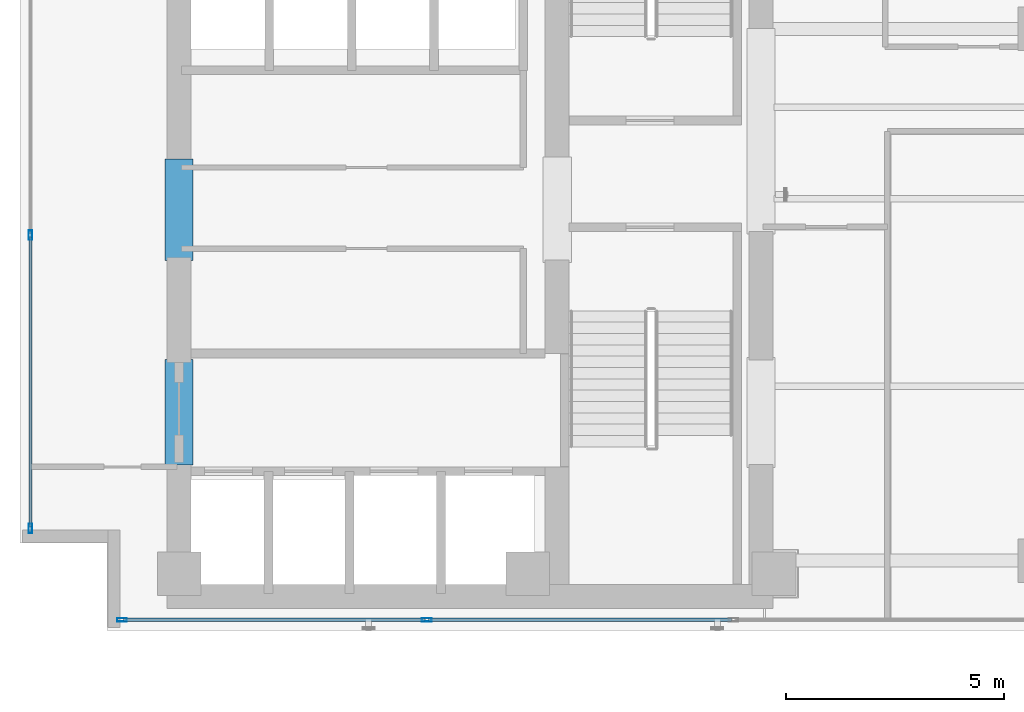
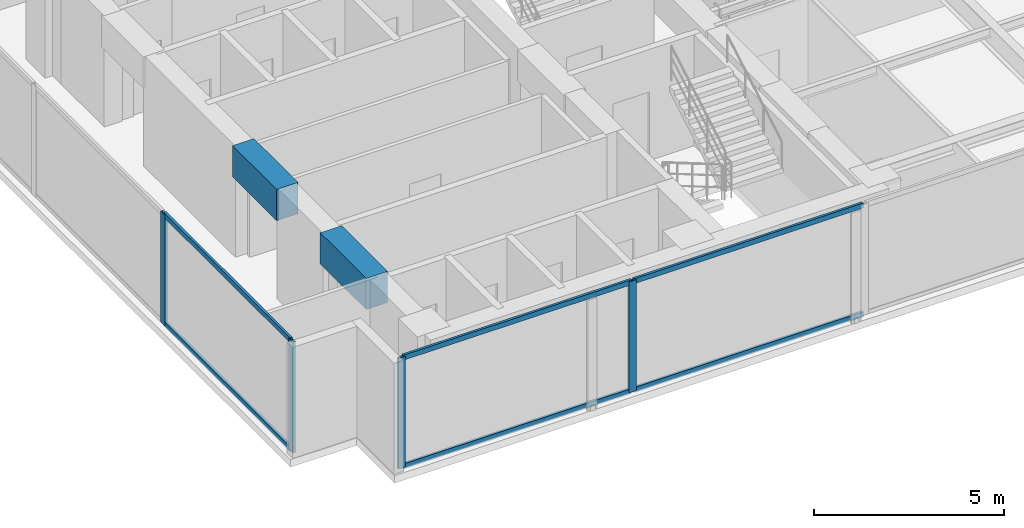
# One storey, part 2 of 23: 10 members, 2 beams, 2 elements without a shape of their own.
"""IFC4 building model written with IfcOpenShell, lengths in metres."""

from ifc_helpers import new_model, si_unit, direction, frame, origin, origin_with_axes, origin_2d, place, context, subcontext, project, spatial, rectangle, hollow_rectangle, extrude, source, transform, mapped, material, layer, layer_set, material_profile, profile_set, type_object, element, aggregate, save


model = new_model("IFC4")

# Units and contexts
model_context = context("Model", 3, precision=1e-05, world=origin(), true_north=direction((0.0, 1.0)))
body_context = subcontext(model_context, "Body", "Model", "MODEL_VIEW")
ifc_project = project(units=[si_unit("LENGTHUNIT", "METRE"), si_unit("AREAUNIT", "SQUARE_METRE"), si_unit("VOLUMEUNIT", "CUBIC_METRE"), si_unit("PLANEANGLEUNIT", "RADIAN"), si_unit("MASSUNIT", "GRAM", prefix="KILO")], contexts=[model_context])

# Site, building, storey
site_placement = place(None, origin())
site = spatial("IfcSite", under=ifc_project, at=site_placement, CompositionType="ELEMENT")
building_placement = place(site_placement, origin())
building = spatial("IfcBuilding", under=site, at=building_placement, Name="Kolvaren Waterfront Exchange", CompositionType="ELEMENT")
storey_placement = place(building_placement, frame((0.0, 0.0, 250.10009765625)))
storey = spatial("IfcBuildingStorey", under=building, at=storey_placement, Name="L64", CompositionType="ELEMENT", Elevation=250.10009765625)

# Beams
ifc_material_1 = material(Name="Concrete C60/75", Category="concrete")
ifc_material_profile_1 = material_profile(ifc_material_1, rectangle(XDim=0.64990234375, YDim=1.0, at=origin_2d()), Name="RC-CB-1000x650")
ifc_profile_set_1 = profile_set([ifc_material_profile_1], Name="Concrete C60/75")
beam_type = type_object("IfcBeamType", Name="STR-CB-1000", PredefinedType="SPANDREL", material=ifc_profile_set_1)
beam_1_placement = place(storey_placement, frame((7.449951171875, 7.389892578125, 3.059814453125), z_axis=(0.0, 1.0, 0.0), x_axis=(-1.0, 0.0, 0.0)))
element("IfcBeam", 1, at=beam_1_placement, inside=storey, type_object=beam_type, Name="L64 core coupling beam 3", PredefinedType="SPANDREL", context=body_context, shape_type="SweptSolid", body=[
    extrude(rectangle(XDim=0.64990234375, YDim=1.0, at=origin_2d()), origin(), (0.0, 0.0, 1.0), 2.420166015625),
])
beam_2_placement = place(storey_placement, frame((7.449951171875, 12.090087890625, 3.059814453125), z_axis=(0.0, 1.0, 0.0), x_axis=(-1.0, 0.0, 0.0)))
element("IfcBeam", 2, at=beam_2_placement, inside=storey, type_object=beam_type, Name="L64 core coupling beam 4", PredefinedType="SPANDREL", context=body_context, shape_type="SweptSolid", body=[
    extrude(rectangle(XDim=0.64990234375, YDim=1.0, at=origin_2d()), origin(), (0.0, 0.0, 1.0), 2.31982421875),
])

# Curtain wall, members
ifc_material_2 = material(Name="Anodised aluminium 6063-T6", Category="aluminium")
ifc_layer_1 = layer(ifc_material_2, 0.219970703125, Name="Anodised aluminium 6063-T6")
ifc_layer_set_1 = layer_set([ifc_layer_1], Name="Anodised aluminium 6063-T6")
curtain_wall_type_1 = type_object("IfcCurtainWallType", Name="ARC-CW-SYS2", PredefinedType="USERDEFINED", material=ifc_layer_set_1)
curtain_wall_1_placement = place(storey_placement, origin())
curtain_wall_1 = element("IfcCurtainWall", 3, at=curtain_wall_1_placement, inside=storey, type_object=curtain_wall_type_1, Name="L64 stick curtain wall CW2 (CW-L64-W)", ObjectType="STICK CURTAIN WALL", PredefinedType="USERDEFINED")
ifc_material_profile_2 = material_profile(ifc_material_2, hollow_rectangle(XDim=0.074951171875, YDim=0.159912109375, WallThickness=0.00439453125, at=origin_2d()), Name="ALU-TRN-160x75x4.5")
ifc_profile_set_2 = profile_set([ifc_material_profile_2], Name="Anodised aluminium 6063-T6")
member_type_1 = type_object("IfcMemberType", Name="ARC-CWT-160", PredefinedType="USERDEFINED", material=ifc_profile_set_2)
shared_shape_1 = source(origin_with_axes(), body_context, "Body", "SweptSolid", [
    extrude(hollow_rectangle(XDim=0.074951171875, YDim=0.159912109375, WallThickness=0.00439453125, at=origin_2d()), origin(), (0.0, 0.0, 1.0), 6.646728515625),
])
member_1_placement = place(storey_placement, frame((4.0400390625, 5.97998046875, 0.037353515625), z_axis=(0.0, 1.0, 0.0), x_axis=(-1.0, 0.0, 0.0)))
member_1 = element("IfcMember", 4, at=member_1_placement, type_object=member_type_1, Name="CW2 transom 1.1", ObjectType="TRANSOM", PredefinedType="USERDEFINED", context=body_context, shape_type="MappedRepresentation", body=[
    mapped(shared_shape_1, transform((0.0, 0.0, 0.0), x_axis=(1.0, 0.0, 0.0), y_axis=(0.0, 1.0, 0.0), z_axis=(0.0, 0.0, 1.0), scale=1.0)),
])
member_2_placement = place(storey_placement, frame((4.0400390625, 5.97998046875, 3.5224609375), z_axis=(0.0, 1.0, 0.0), x_axis=(-1.0, 0.0, 0.0)))
member_2 = element("IfcMember", 5, at=member_2_placement, type_object=member_type_1, Name="CW2 transom 1.2", ObjectType="TRANSOM", PredefinedType="USERDEFINED", context=body_context, shape_type="MappedRepresentation", body=[
    mapped(shared_shape_1, transform((0.0, 0.0, 0.0), x_axis=(1.0, 0.0, 0.0), y_axis=(0.0, 1.0, 0.0), z_axis=(0.0, 0.0, 1.0), scale=1.0)),
])

ifc_material_3 = material(Name="Anodised bronze aluminium 6063-T6", Category="aluminium")
ifc_layer_2 = layer(ifc_material_3, 0.219970703125, Name="Anodised bronze aluminium 6063-T6")
ifc_layer_set_2 = layer_set([ifc_layer_2], Name="Anodised bronze aluminium 6063-T6")
curtain_wall_type_2 = type_object("IfcCurtainWallType", Name="ARC-CW-SYS1", PredefinedType="USERDEFINED", material=ifc_layer_set_2)
curtain_wall_2_placement = place(storey_placement, origin())
curtain_wall_2 = element("IfcCurtainWall", 6, at=curtain_wall_2_placement, inside=storey, type_object=curtain_wall_type_2, Name="L64 stick curtain wall CW1 (CW-L64-S)", ObjectType="STICK CURTAIN WALL", PredefinedType="USERDEFINED")
ifc_material_profile_3 = material_profile(ifc_material_2, hollow_rectangle(XDim=0.080078125, YDim=0.219970703125, WallThickness=0.0048828125, at=origin_2d()), Name="ALU-MUL-220x80x5")
ifc_profile_set_3 = profile_set([ifc_material_profile_3], Name="Anodised aluminium 6063-T6")
member_type_2 = type_object("IfcMemberType", Name="ARC-CWM-220", PredefinedType="MULLION", material=ifc_profile_set_3)
shared_shape_2 = source(origin_with_axes(), body_context, "Body", "SweptSolid", [
    extrude(hollow_rectangle(XDim=0.080078125, YDim=0.219970703125, WallThickness=0.0048828125, at=origin_2d()), origin(), (0.0, 0.0, 1.0), 3.559814453125),
])
member_3_placement = place(storey_placement, frame((6.139892578125, 3.840087890625, 0.0), z_axis=(0.0, 0.0, 1.0), x_axis=(0.0, 1.0, 0.0)))
member_3 = element("IfcMember", 7, at=member_3_placement, type_object=member_type_2, Name="CW1 mullion 1", PredefinedType="MULLION", context=body_context, shape_type="MappedRepresentation", body=[
    mapped(shared_shape_2, transform((0.0, 0.0, 0.0), x_axis=(1.0, 0.0, 0.0), y_axis=(0.0, 1.0, 0.0), z_axis=(0.0, 0.0, 1.0), scale=1.0)),
])
member_4_placement = place(storey_placement, frame((13.13330078125, 3.840087890625, 0.0), z_axis=(0.0, 0.0, 1.0), x_axis=(0.0, 1.0, 0.0)))
member_4 = element("IfcMember", 8, at=member_4_placement, type_object=member_type_2, Name="CW1 mullion 2", PredefinedType="MULLION", context=body_context, shape_type="MappedRepresentation", body=[
    mapped(shared_shape_2, transform((0.0, 0.0, 0.0), x_axis=(1.0, 0.0, 0.0), y_axis=(0.0, 1.0, 0.0), z_axis=(0.0, 0.0, 1.0), scale=1.0)),
])

# Member
member_5_placement = place(storey_placement, frame((4.0400390625, 5.93994140625, 0.0), z_axis=(0.0, 0.0, 1.0), x_axis=(-1.0, 0.0, 0.0)))
member_5 = element("IfcMember", 9, at=member_5_placement, type_object=member_type_2, Name="CW2 mullion 1", PredefinedType="MULLION", context=body_context, shape_type="MappedRepresentation", body=[
    mapped(shared_shape_2, transform((0.0, 0.0, 0.0), x_axis=(1.0, 0.0, 0.0), y_axis=(0.0, 1.0, 0.0), z_axis=(0.0, 0.0, 1.0), scale=1.0)),
])

member_6_placement = place(storey_placement, frame((4.0400390625, 12.666748046875, 0.0), z_axis=(0.0, 0.0, 1.0), x_axis=(-1.0, 0.0, 0.0)))
member_6 = element("IfcMember", 10, at=member_6_placement, type_object=member_type_2, Name="CW2 mullion 2", PredefinedType="MULLION", context=body_context, shape_type="MappedRepresentation", body=[
    mapped(shared_shape_2, transform((0.0, 0.0, 0.0), x_axis=(1.0, 0.0, 0.0), y_axis=(0.0, 1.0, 0.0), z_axis=(0.0, 0.0, 1.0), scale=1.0)),
])

aggregate(curtain_wall_1, [member_5, member_6, member_1, member_2])

shared_shape_3 = source(origin_with_axes(), body_context, "Body", "SweptSolid", [
    extrude(hollow_rectangle(XDim=0.074951171875, YDim=0.159912109375, WallThickness=0.00439453125, at=origin_2d()), origin(), (0.0, 0.0, 1.0), 6.913330078125),
])
member_7_placement = place(storey_placement, frame((6.179931640625, 3.840087890625, 0.037353515625), z_axis=(1.0, 0.0, 0.0), x_axis=(0.0, 1.0, 0.0)))
member_7 = element("IfcMember", 11, at=member_7_placement, type_object=member_type_1, Name="CW1 transom 1.1", ObjectType="TRANSOM", PredefinedType="USERDEFINED", context=body_context, shape_type="MappedRepresentation", body=[
    mapped(shared_shape_3, transform((0.0, 0.0, 0.0), x_axis=(1.0, 0.0, 0.0), y_axis=(0.0, 1.0, 0.0), z_axis=(0.0, 0.0, 1.0), scale=1.0)),
])

member_8_placement = place(storey_placement, frame((6.179931640625, 3.840087890625, 3.5224609375), z_axis=(1.0, 0.0, 0.0), x_axis=(0.0, 1.0, 0.0)))
member_8 = element("IfcMember", 12, at=member_8_placement, type_object=member_type_1, Name="CW1 transom 1.2", ObjectType="TRANSOM", PredefinedType="USERDEFINED", context=body_context, shape_type="MappedRepresentation", body=[
    mapped(shared_shape_3, transform((0.0, 0.0, 0.0), x_axis=(1.0, 0.0, 0.0), y_axis=(0.0, 1.0, 0.0), z_axis=(0.0, 0.0, 1.0), scale=1.0)),
])

shared_shape_4 = source(origin_with_axes(), body_context, "Body", "SweptSolid", [
    extrude(hollow_rectangle(XDim=0.074951171875, YDim=0.159912109375, WallThickness=0.00439453125, at=origin_2d()), origin(), (0.0, 0.0, 1.0), 6.953369140625),
])
member_9_placement = place(storey_placement, frame((13.17333984375, 3.840087890625, 0.037353515625), z_axis=(1.0, 0.0, 0.0), x_axis=(0.0, 1.0, 0.0)))
member_9 = element("IfcMember", 13, at=member_9_placement, type_object=member_type_1, Name="CW1 transom 2.1", ObjectType="TRANSOM", PredefinedType="USERDEFINED", context=body_context, shape_type="MappedRepresentation", body=[
    mapped(shared_shape_4, transform((0.0, 0.0, 0.0), x_axis=(1.0, 0.0, 0.0), y_axis=(0.0, 1.0, 0.0), z_axis=(0.0, 0.0, 1.0), scale=1.0)),
])

member_10_placement = place(storey_placement, frame((13.17333984375, 3.840087890625, 3.5224609375), z_axis=(1.0, 0.0, 0.0), x_axis=(0.0, 1.0, 0.0)))
member_10 = element("IfcMember", 14, at=member_10_placement, type_object=member_type_1, Name="CW1 transom 2.2", ObjectType="TRANSOM", PredefinedType="USERDEFINED", context=body_context, shape_type="MappedRepresentation", body=[
    mapped(shared_shape_4, transform((0.0, 0.0, 0.0), x_axis=(1.0, 0.0, 0.0), y_axis=(0.0, 1.0, 0.0), z_axis=(0.0, 0.0, 1.0), scale=1.0)),
])

aggregate(curtain_wall_2, [member_3, member_4, member_7, member_8, member_9, member_10])

save(model, "model.ifc")
